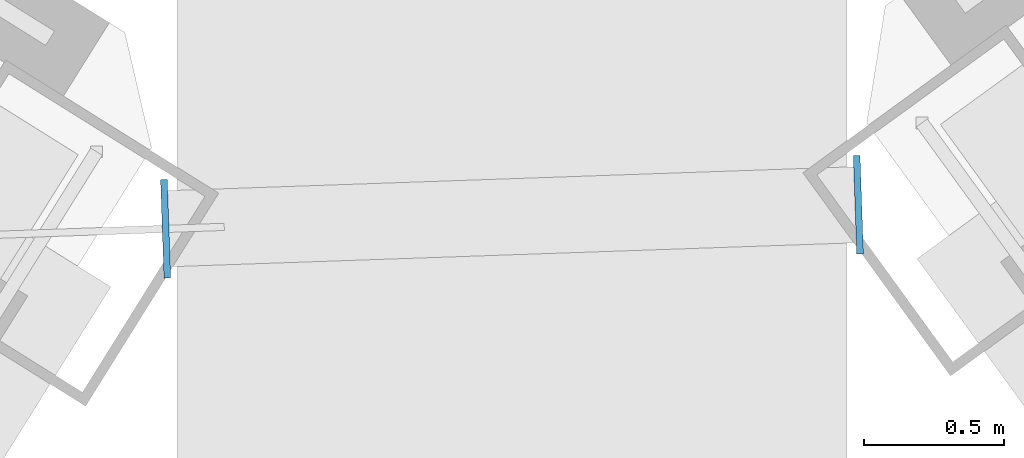
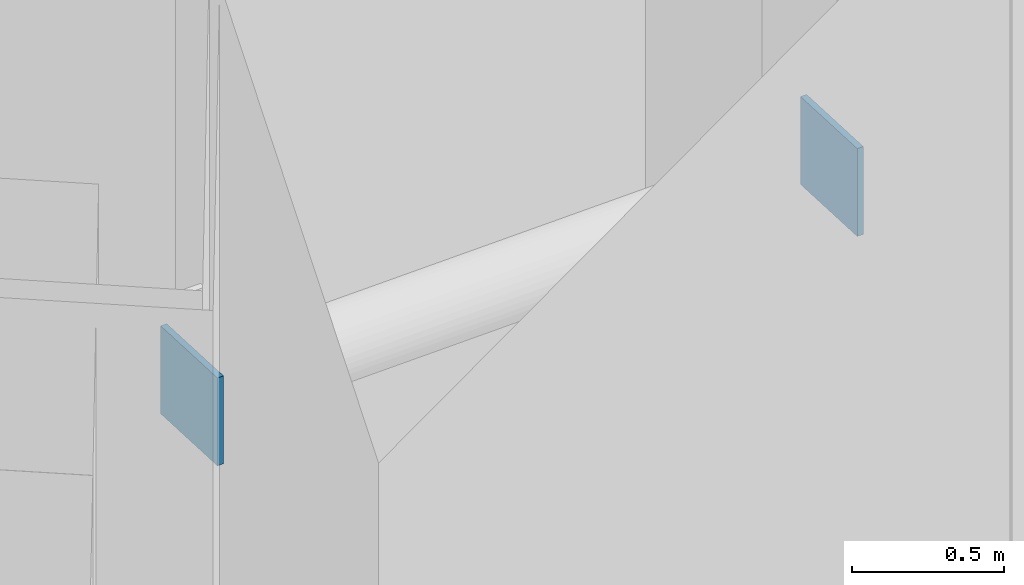
# One storey, part 11 of 22: 2 plates.
"""IFC4 building model written with IfcOpenShell, lengths in metres."""

from ifc_helpers import new_model, si_unit, direction, frame, origin, origin_2d, place, context, subcontext, project, spatial, rectangle, extrude, source, transform, mapped, material, layer, layer_set, type_object, element, save


model = new_model("IFC4")

# Units and contexts
model_context = context("Model", 3, precision=1e-05, world=origin(), true_north=direction((0.0, 1.0)))
body_context = subcontext(model_context, "Body", "Model", "MODEL_VIEW")
ifc_project = project(units=[si_unit("LENGTHUNIT", "METRE"), si_unit("AREAUNIT", "SQUARE_METRE"), si_unit("VOLUMEUNIT", "CUBIC_METRE"), si_unit("PLANEANGLEUNIT", "RADIAN"), si_unit("MASSUNIT", "GRAM", prefix="KILO")], contexts=[model_context])

# Site, building, storey
site_placement = place(None, origin())
site = spatial("IfcSite", under=ifc_project, at=site_placement, CompositionType="ELEMENT")
building_placement = place(site_placement, origin())
building = spatial("IfcBuilding", under=site, at=building_placement, Name="Tlacorven Tower", CompositionType="ELEMENT")
storey_placement = place(building_placement, frame((0.0, 0.0, 127.800048828125)))
storey = spatial("IfcBuildingStorey", under=building, at=storey_placement, Name="L32", CompositionType="ELEMENT", Elevation=127.800048828125)

# Plates
ifc_material = material(Name="Steel S460M", Category="steel")
ifc_layer = layer(ifc_material, 0.02392578125)
ifc_layer_set = layer_set([ifc_layer], Name="Steel S460M")
plate_type = type_object("IfcPlateType", Name="PL-CAP-END1", PredefinedType="USERDEFINED", material=ifc_layer_set)
shared_shape = source(origin(), body_context, "Body", "SweptSolid", [
    extrude(rectangle(XDim=0.02392578125, YDim=0.35302734375, at=origin_2d()), origin(), (0.0, 0.0, 1.0), 0.35302734375),
])
for number, where, z_axis, x_axis, name in (
    (1, (41.212646484375, 24.4833984375, 1.573486328125), (0.0, 0.0, 1.0), (0.999390832067, 0.034899352155, 0.0), "L32 hollow end cap plate TRB-L32-RING 1"),
    (2, (43.694091796875, 24.570068359375, 1.573486328125), (0.0, 0.0, 1.0), (0.999390832067, 0.034899352155, 0.0), "L32 hollow end cap plate TRB-L32-RING 2"),
):
    element("IfcPlate", number, at=place(storey_placement, frame(where, z_axis=z_axis, x_axis=x_axis)), inside=storey, type_object=plate_type, Name=name, ObjectType="END PLATE", PredefinedType="USERDEFINED", context=body_context, shape_type="MappedRepresentation", body=[
        mapped(shared_shape, transform((0.0, 0.0, 0.0), scale=1.0)),
    ])

save(model, "model.ifc")
